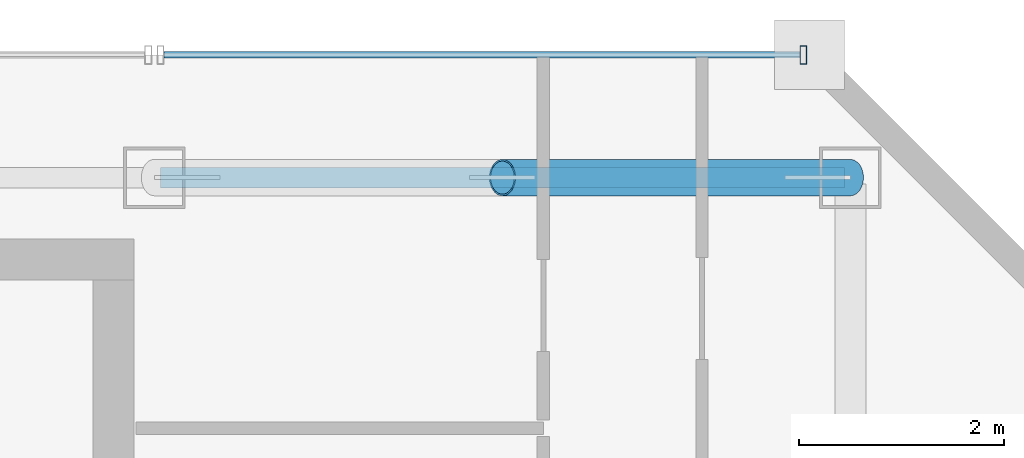
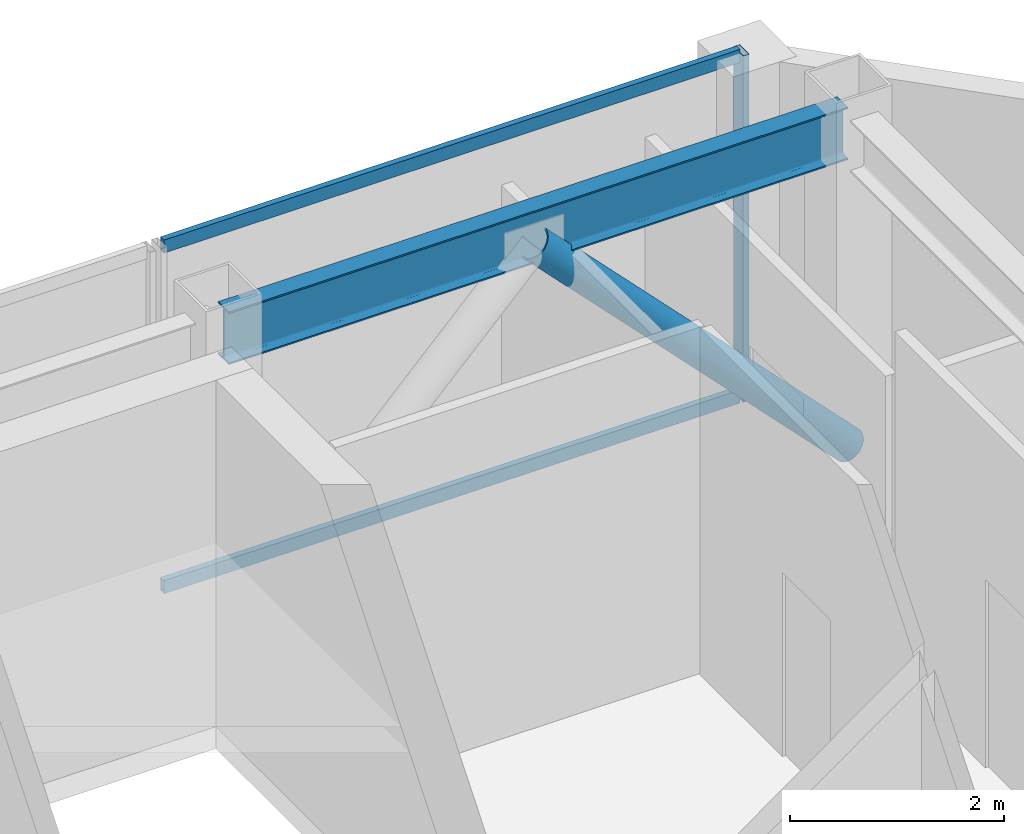
# One storey, part 13 of 20: 4 members, 1 beam, 1 element without a shape of its own.
"""IFC4 building model written with IfcOpenShell, lengths in metres."""

import ifcopenshell
import ifcopenshell.guid

model = None  # the IFC model being written
_history = None  # IfcOwnerHistory: only IFC2X3 demands one
_inside = {}  # id of a spatial element -> (the spatial element, [elements in it])
_under = {}  # id of a project, library or spatial element -> (it, [spatial elements below it])
_declared = {}  # id of a project -> (the project, [libraries it declares])
_typed = {}  # id of a type object -> (the type object, [elements of that type])
_made_of = {}  # id of a material, layer set ... -> (it, [elements and type objects made of it])


def new_model(schema):
    """Start an empty IFC model of exactly this schema.

    Asked for "IFC4X3", IfcOpenShell would pick the latest addendum, in which some entities
    have other attributes; the version numbers below select the first issue.
    IFC2X3 requires an IfcOwnerHistory on every rooted entity: one is made here for all.
    """
    global model, _history
    if schema == "IFC4X3":
        model = ifcopenshell.file(schema_version=(4, 3, 0, 0))
    else:
        model = ifcopenshell.file(schema=schema)
    _inside.clear()
    _under.clear()
    _declared.clear()
    _typed.clear()
    _made_of.clear()
    _history = None
    if model.schema == "IFC2X3":
        org = make("IfcOrganization", Name="unknown")
        user = make(
            "IfcPersonAndOrganization",
            ThePerson=make("IfcPerson", FamilyName="unknown"),
            TheOrganization=org,
        )
        app = make(
            "IfcApplication",
            ApplicationDeveloper=org,
            Version="unknown",
            ApplicationFullName="unknown",
            ApplicationIdentifier="unknown",
        )
        _history = make(
            "IfcOwnerHistory",
            OwningUser=user,
            OwningApplication=app,
            ChangeAction="ADDED",
            CreationDate=0,
        )
    return model


def make(cls, **values):
    """One entity of the class cls with the attributes given. An attribute that is None is left unset."""
    return model.create_entity(
        cls, **{name: value for name, value in values.items() if value is not None}
    )


def rooted(cls, **values):
    """An entity with a GlobalId (a new one), such as an element, a storey or a relation."""
    return make(cls, GlobalId=ifcopenshell.guid.new(), OwnerHistory=_history, **values)


def si_unit(unit_type, name, prefix=None):
    """IfcSIUnit, for example si_unit("LENGTHUNIT", "METRE", prefix="MILLI")."""
    return make("IfcSIUnit", UnitType=unit_type, Prefix=prefix, Name=name)


def assignment(units):
    """IfcUnitAssignment: the units of a project."""
    return None if units is None else make("IfcUnitAssignment", Units=units)


def point(xyz):
    """IfcCartesianPoint."""
    return None if xyz is None else make("IfcCartesianPoint", Coordinates=xyz)


def direction(xyz):
    """IfcDirection."""
    return None if xyz is None else make("IfcDirection", DirectionRatios=xyz)


def frame(location, z_axis=None, x_axis=None):
    """IfcAxis2Placement3D, a coordinate frame: its origin and axes. An axis left out is left unset."""
    return make(
        "IfcAxis2Placement3D",
        Location=point(location),
        Axis=direction(z_axis),
        RefDirection=direction(x_axis),
    )


def frame_2d(location, x_axis=None):
    """IfcAxis2Placement2D, a coordinate frame in the plane: its origin and x axis."""
    return make(
        "IfcAxis2Placement2D", Location=point(location), RefDirection=direction(x_axis)
    )


def origin():
    """The frame at (0, 0, 0) with its axes left unset."""
    return frame((0.0, 0.0, 0.0))


def origin_2d():
    """The frame at (0, 0) in the plane with its x axis left unset."""
    return frame_2d((0.0, 0.0))


def place(relative_to, where):
    """IfcLocalPlacement: puts the frame where relative to a parent placement (None: the world)."""
    return make(
        "IfcLocalPlacement", PlacementRelTo=relative_to, RelativePlacement=where
    )


def context(
    kind, dimensions, precision=None, world=None, true_north=None, identifier=None
):
    """IfcGeometricRepresentationContext, for example the 3D "Model" context."""
    return make(
        "IfcGeometricRepresentationContext",
        ContextIdentifier=identifier,
        ContextType=kind,
        CoordinateSpaceDimension=dimensions,
        Precision=precision,
        WorldCoordinateSystem=world,
        TrueNorth=true_north,
    )


def subcontext(parent, identifier, kind, view, scale=None):
    """IfcGeometricRepresentationSubContext, for example "Body" below "Model"."""
    return make(
        "IfcGeometricRepresentationSubContext",
        ContextIdentifier=identifier,
        ContextType=kind,
        ParentContext=parent,
        TargetScale=scale,
        TargetView=view,
    )


def project(units=None, contexts=None):
    """IfcProject with its units and contexts."""
    return rooted(
        "IfcProject",
        Name="project",
        RepresentationContexts=contexts,
        UnitsInContext=assignment(units),
    )


def spatial(cls, under=None, at=None, **own):
    """A site, building, storey or space (cls), placed at a placement, below another one or the project."""
    s = rooted(cls, ObjectPlacement=at, **own)
    if under is not None:
        _under.setdefault(under.id(), (under, []))[1].append(s)
    return s


def profile(cls, at=None, kind="AREA", **sizes):
    """A parametric profile (cls). Its sizes go by their IFC names, for example OverallWidth=200.0."""
    return make(cls, ProfileType=kind, Position=at, **sizes)


def hollow_rectangle(**sizes):
    """IfcRectangleHollowProfileDef."""
    return profile("IfcRectangleHollowProfileDef", **sizes)


def hollow_circle(**sizes):
    """IfcCircleHollowProfileDef."""
    return profile("IfcCircleHollowProfileDef", **sizes)


def i_section(**sizes):
    """IfcIShapeProfileDef."""
    return profile("IfcIShapeProfileDef", **sizes)


def extrude(swept, where, along, depth):
    """IfcExtrudedAreaSolid: the profile swept, set in the frame where, extruded along a direction by depth."""
    return make(
        "IfcExtrudedAreaSolid",
        SweptArea=swept,
        Position=where,
        ExtrudedDirection=direction(along),
        Depth=depth,
    )


def shape(context_of_items, identifier, shape_type, items):
    """IfcShapeRepresentation: the items that make up one representation, for example the "Body"."""
    return make(
        "IfcShapeRepresentation",
        ContextOfItems=context_of_items,
        RepresentationIdentifier=identifier,
        RepresentationType=shape_type,
        Items=items,
    )


def material(Name=None, Category=None):
    """IfcMaterial."""
    return make("IfcMaterial", Name=Name, Category=Category)


def material_profile(
    of_material, cross_section, Name=None, Category=None, Priority=None
):
    """IfcMaterialProfile: a cross section and its material."""
    return make(
        "IfcMaterialProfile",
        Name=Name,
        Material=of_material,
        Profile=cross_section,
        Priority=Priority,
        Category=Category,
    )


def profile_set(profiles, Name=None, composite=None):
    """IfcMaterialProfileSet."""
    return make(
        "IfcMaterialProfileSet",
        Name=Name,
        MaterialProfiles=profiles,
        CompositeProfile=composite,
    )


def made_of(thing, what):
    """Note that an element or type object is made of a material, layer set ...; save() writes the relation."""
    if what is not None:
        _made_of.setdefault(what.id(), (what, []))[1].append(thing)
    return thing


def type_object(cls, material=None, **own):
    """A type object (cls), such as IfcWallType, which elements share."""
    return made_of(rooted(cls, **own), material)


def element(
    cls,
    number,
    at=None,
    inside=None,
    cuts=None,
    type_object=None,
    material=None,
    context=None,
    identifier="Body",
    shape_type=None,
    held_by="IfcProductDefinitionShape",
    body=None,
    shapes=None,
    **own,
):
    """One element of the class cls, such as IfcWall. Its Tag is "e" and its number.

    at: its placement. inside: the storey or other place that contains it. cuts: it is an
    opening in that element (IfcRelVoidsElement). A single representation is given by context,
    identifier, shape_type and body (its items); several are given by shapes. held_by: the class
    of the entity that holds the representations. save() writes the other relations.
    """
    e = rooted(cls, Tag="e%d" % number, ObjectPlacement=at, **own)
    if body is not None:
        shapes = [shape(context, identifier, shape_type, body)]
    if shapes is not None:
        e.Representation = make(held_by, Representations=shapes)
    if inside is not None:
        _inside.setdefault(inside.id(), (inside, []))[1].append(e)
    if cuts is not None:
        rooted(
            "IfcRelVoidsElement", RelatingBuildingElement=cuts, RelatedOpeningElement=e
        )
    if type_object is not None:
        _typed.setdefault(type_object.id(), (type_object, []))[1].append(e)
    return made_of(e, material)


def aggregate(whole, parts):
    """IfcRelAggregates: a whole, such as a stair, and the parts it consists of."""
    return rooted("IfcRelAggregates", RelatingObject=whole, RelatedObjects=parts)


def save(model, path):
    """Write the relations noted so far, then the file.

    IfcRelAggregates (storeys below a building ...), IfcRelContainedInSpatialStructure (elements
    in a storey), IfcRelDefinesByType, IfcRelAssociatesMaterial and IfcRelDeclares: one each for
    every whole, place, type object, material and project.
    """
    for whole, parts in _under.values():
        aggregate(whole, parts)
    for where, things in _inside.values():
        rooted(
            "IfcRelContainedInSpatialStructure",
            RelatedElements=things,
            RelatingStructure=where,
        )
    for kind, things in _typed.values():
        rooted("IfcRelDefinesByType", RelatedObjects=things, RelatingType=kind)
    for what, things in _made_of.values():
        rooted("IfcRelAssociatesMaterial", RelatedObjects=things, RelatingMaterial=what)
    for by, libraries in _declared.values():
        rooted("IfcRelDeclares", RelatingContext=by, RelatedDefinitions=libraries)
    model.write(path)


model = new_model("IFC4")

# Units and contexts
model_context = context("Model", 3, precision=1e-05, world=origin(), true_north=direction((0.0, 1.0)))
body_context = subcontext(model_context, "Body", "Model", "MODEL_VIEW")
ifc_project = project(units=[si_unit("LENGTHUNIT", "METRE"), si_unit("AREAUNIT", "SQUARE_METRE"), si_unit("VOLUMEUNIT", "CUBIC_METRE"), si_unit("PLANEANGLEUNIT", "RADIAN"), si_unit("MASSUNIT", "GRAM", prefix="KILO")], contexts=[model_context])

# Site, building, storey
site_placement = place(None, origin())
site = spatial("IfcSite", under=ifc_project, at=site_placement, CompositionType="ELEMENT")
building_placement = place(site_placement, origin())
building = spatial("IfcBuilding", under=site, at=building_placement, Name="Saevonmaru Cultural Tower", CompositionType="ELEMENT")
storey_placement = place(building_placement, frame((0.0, 0.0, 319.199951171875)))
storey = spatial("IfcBuildingStorey", under=building, at=storey_placement, Name="L76", CompositionType="ELEMENT", Elevation=319.199951171875)

# Beam
ifc_material_1 = material(Name="Steel SM355", Category="steel")
ifc_material_profile_1 = material_profile(ifc_material_1, i_section(OverallWidth=0.199951171875, OverallDepth=0.60009765625, WebThickness=0.010986328125, FlangeThickness=0.01708984375, FilletRadius=0.02197265625, at=origin_2d()), Name="H-600x200x11x17")
ifc_profile_set_1 = profile_set([ifc_material_profile_1], Name="Steel SM355")
beam_type = type_object("IfcBeamType", Name="BM-SP-H600", PredefinedType="SPANDREL", material=ifc_profile_set_1)
beam_placement = place(storey_placement, frame((46.4599609375, 54.800048828125, 3.650146484375), z_axis=(1.0, 0.0, 0.0), x_axis=(0.0, 1.0, 0.0)))
element("IfcBeam", 1, at=beam_placement, inside=storey, type_object=beam_type, Name="L76 North Spine Girder 5", PredefinedType="SPANDREL", context=body_context, shape_type="SweptSolid", body=[
    extrude(i_section(OverallWidth=0.199951171875, OverallDepth=0.60009765625, WebThickness=0.010986328125, FlangeThickness=0.01708984375, FilletRadius=0.02197265625, at=origin_2d()), origin(), (0.0, 0.0, 1.0), 6.679931640625),
])

# Member
ifc_material_profile_2 = material_profile(ifc_material_1, hollow_circle(Radius=0.177734375, WallThickness=0.01611328125, at=origin_2d()), Name="CHS-355.6x16")
ifc_profile_set_2 = profile_set([ifc_material_profile_2], Name="Steel SM355")
member_type_1 = type_object("IfcMemberType", Name="MB-PBR-CHS356", PredefinedType="BRACE", material=ifc_profile_set_2)
member_1_placement = place(storey_placement, frame((53.199951171875, 54.800048828125, 0.02001953125), z_axis=(-0.696775387372, 0.0, 0.71728938341), x_axis=(0.0, -1.0, 0.0)))
element("IfcMember", 2, at=member_1_placement, inside=storey, type_object=member_type_1, Name="L76 Perimeter Braced-Tube Diagonal EN2", PredefinedType="BRACE", context=body_context, shape_type="SweptSolid", body=[
    extrude(hollow_circle(Radius=0.177734375, WallThickness=0.01611328125, at=origin_2d()), origin(), (0.0, 0.0, 1.0), 4.87939453125),
])

# Curtain wall, members
ifc_material_2 = material(Name="Satin Bronze Anodised Aluminium", Category="aluminium")
curtain_wall_type = type_object("IfcCurtainWallType", Name="CW-SKY-GLZ", PredefinedType="NOTDEFINED", material=ifc_material_2)
curtain_wall_placement = place(storey_placement, origin())
curtain_wall = element("IfcCurtainWall", 3, at=curtain_wall_placement, inside=storey, type_object=curtain_wall_type, Name="L76 East Braced Bay Spandrel Curtain Wall E10A", PredefinedType="NOTDEFINED")
ifc_material_profile_3 = material_profile(ifc_material_2, hollow_rectangle(XDim=0.06494140625, YDim=0.179931640625, WallThickness=0.00390625, at=origin_2d()), Name="ALU-MULL-180x65x4")
ifc_profile_set_3 = profile_set([ifc_material_profile_3], Name="Satin Bronze Anodised Aluminium")
member_type_2 = type_object("IfcMemberType", Name="ML-CW-180x65", PredefinedType="MULLION", material=ifc_profile_set_3)
member_2_placement = place(storey_placement, frame((52.739990234375, 56.0, 0.0), z_axis=(0.0, 0.0, 1.0), x_axis=(-1.0, 0.0, 0.0)))
member_2 = element("IfcMember", 4, at=member_2_placement, type_object=member_type_2, Name="CW-TW-L76-E10A mullion 1", PredefinedType="MULLION", context=body_context, shape_type="SweptSolid", body=[
    extrude(hollow_rectangle(XDim=0.06494140625, YDim=0.179931640625, WallThickness=0.00390625, at=origin_2d()), origin(), (0.0, 0.0, 1.0), 3.949951171875),
])
ifc_material_profile_4 = material_profile(ifc_material_2, hollow_rectangle(XDim=0.06494140625, YDim=0.14990234375, WallThickness=0.00390625, at=origin_2d()), Name="ALU-TRAN-150x65x4")
ifc_profile_set_4 = profile_set([ifc_material_profile_4], Name="Satin Bronze Anodised Aluminium")
member_type_3 = type_object("IfcMemberType", Name="TR-CW-150x65", PredefinedType="USERDEFINED", material=ifc_profile_set_4)
member_3_placement = place(storey_placement, frame((52.70751953125, 56.0, 0.032470703125), z_axis=(-1.0, 0.0, 0.0), x_axis=(0.0, -1.0, 0.0)))
member_3 = element("IfcMember", 5, at=member_3_placement, type_object=member_type_3, Name="CW-TW-L76-E10A transom 1.1", ObjectType="TRANSOM", PredefinedType="USERDEFINED", context=body_context, shape_type="SweptSolid", body=[
    extrude(hollow_rectangle(XDim=0.06494140625, YDim=0.14990234375, WallThickness=0.00390625, at=origin_2d()), origin(), (0.0, 0.0, 1.0), 6.215087890625),
])
member_4_placement = place(storey_placement, frame((52.70751953125, 56.0, 3.91748046875), z_axis=(-1.0, 0.0, 0.0), x_axis=(0.0, -1.0, 0.0)))
member_4 = element("IfcMember", 6, at=member_4_placement, type_object=member_type_3, Name="CW-TW-L76-E10A transom 1.2", ObjectType="TRANSOM", PredefinedType="USERDEFINED", context=body_context, shape_type="SweptSolid", body=[
    extrude(hollow_rectangle(XDim=0.06494140625, YDim=0.14990234375, WallThickness=0.00390625, at=origin_2d()), origin(), (0.0, 0.0, 1.0), 6.215087890625),
])
aggregate(curtain_wall, [member_2, member_3, member_4])

save(model, "model.ifc")
